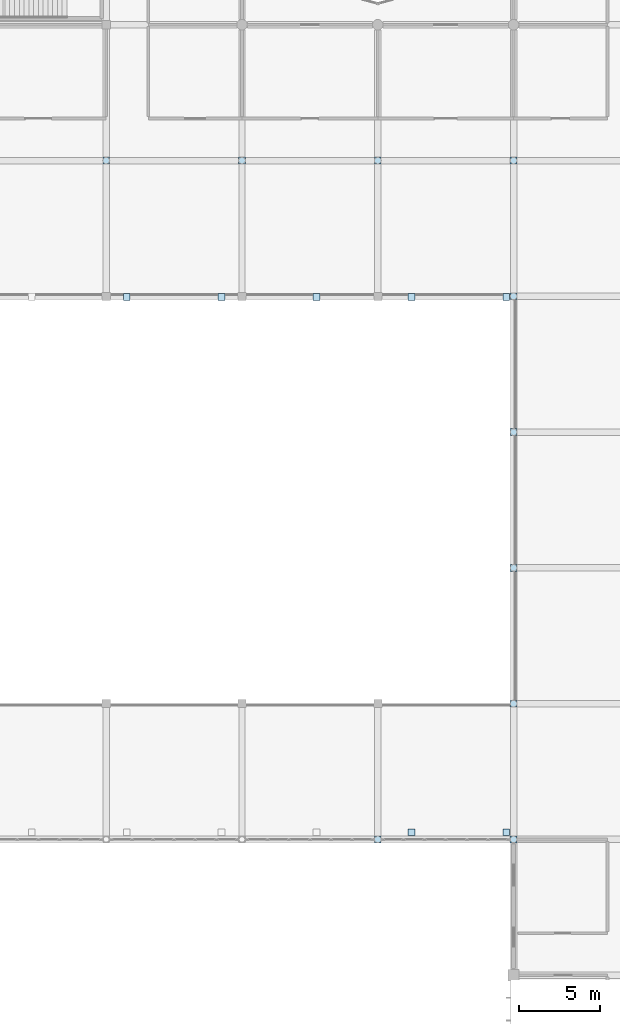
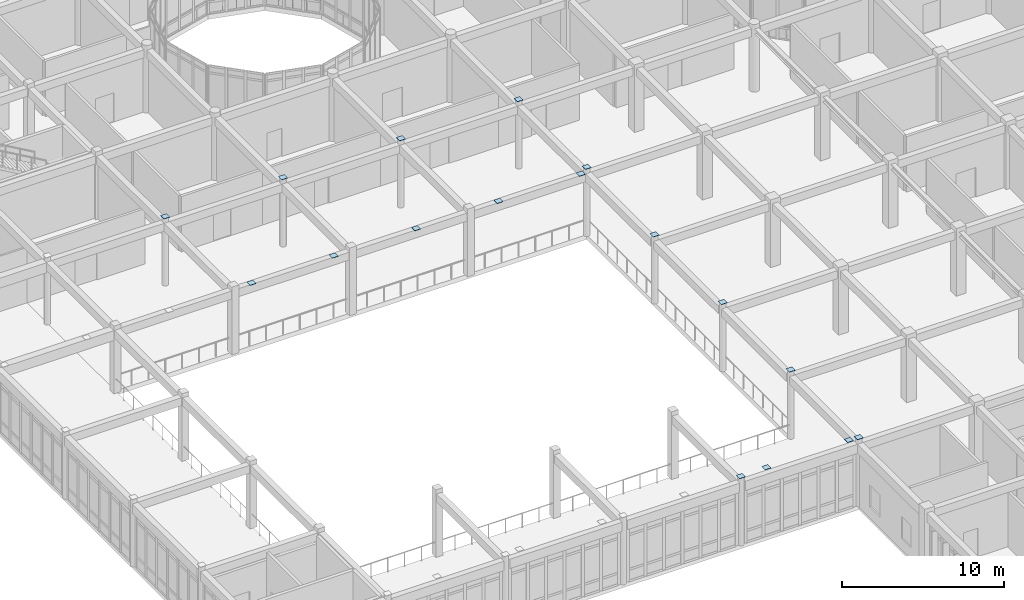
# One storey, part 88 of 134: 17 plates.
"""IFC4 building model written with IfcOpenShell, lengths in metres."""

from ifc_helpers import new_model, si_unit, direction, frame, origin, origin_2d, place, context, subcontext, project, spatial, rectangle, extrude, material, layer, layer_set, type_object, element, save


model = new_model("IFC4")

# Units and contexts
model_context = context("Model", 3, precision=1e-05, world=origin(), true_north=direction((0.0, 1.0)))
body_context = subcontext(model_context, "Body", "Model", "MODEL_VIEW")
ifc_project = project(units=[si_unit("LENGTHUNIT", "METRE"), si_unit("AREAUNIT", "SQUARE_METRE"), si_unit("VOLUMEUNIT", "CUBIC_METRE"), si_unit("PLANEANGLEUNIT", "RADIAN"), si_unit("MASSUNIT", "GRAM", prefix="KILO")], contexts=[model_context])

# Site, building, storey
site_placement = place(None, origin())
site = spatial("IfcSite", under=ifc_project, at=site_placement, CompositionType="ELEMENT")
building_placement = place(site_placement, origin())
building = spatial("IfcBuilding", under=site, at=building_placement, Name="Bramfleet General Hospital", CompositionType="ELEMENT")
storey_placement = place(building_placement, frame((0.0, 0.0, 9.300048828125)))
storey = spatial("IfcBuildingStorey", under=building, at=storey_placement, Name="L02", CompositionType="ELEMENT", Elevation=9.300048828125)

# Plates
ifc_material = material(Name="Steel S355", Category="steel")
ifc_layer = layer(ifc_material, 0.02490234375, Name="PL-BP-420")
ifc_layer_set = layer_set([ifc_layer], Name="Steel S355")
plate_type = type_object("IfcPlateType", Name="PL-BP-420", PredefinedType="USERDEFINED", material=ifc_layer_set)
for number, where, z_axis, x_axis, name in (
    (1, (67.199951171875, 58.800048828125, 5.10009765625), (0.0, 0.0, 1.0), (1.0, 0.0, 0.0), "Hollow Column Cap Plate COL-L02-08-07"),
    (2, (75.60009765625, 58.800048828125, 5.10009765625), (0.0, 0.0, 1.0), (1.0, 0.0, 0.0), "Hollow Column Cap Plate COL-L02-09-07"),
    (3, (84.0, 16.800048828125, 5.10009765625), (0.0, 0.0, 1.0), (1.0, 0.0, 0.0), "Hollow Column Cap Plate COL-L02-10-02"),
    (4, (84.0, 58.800048828125, 5.10009765625), (0.0, 0.0, 1.0), (1.0, 0.0, 0.0), "Hollow Column Cap Plate COL-L02-10-07"),
    (5, (92.39990234375, 16.800048828125, 5.10009765625), (0.0, 0.0, 1.0), (1.0, 0.0, 0.0), "Hollow Column Cap Plate COL-L02-11-02"),
    (6, (92.39990234375, 25.199951171875, 5.10009765625), (0.0, 0.0, 1.0), (1.0, 0.0, 0.0), "Hollow Column Cap Plate COL-L02-11-03"),
    (7, (92.39990234375, 33.60009765625, 5.10009765625), (0.0, 0.0, 1.0), (1.0, 0.0, 0.0), "Hollow Column Cap Plate COL-L02-11-04"),
    (8, (92.39990234375, 42.0, 5.10009765625), (0.0, 0.0, 1.0), (1.0, 0.0, 0.0), "Hollow Column Cap Plate COL-L02-11-05"),
    (9, (92.39990234375, 50.39990234375, 5.10009765625), (0.0, 0.0, 1.0), (1.0, 0.0, 0.0), "Hollow Column Cap Plate COL-L02-11-06"),
    (10, (92.39990234375, 58.800048828125, 5.10009765625), (0.0, 0.0, 1.0), (1.0, 0.0, 0.0), "Hollow Column Cap Plate COL-L02-11-07"),
    (11, (68.46435546875, 50.35009765625, 4.77490234375), (0.0, 0.0, 1.0), (1.0, 0.0, 0.0), "Space Frame Pedestal Foot Cap Plate 3-6"),
    (12, (74.335693359375, 50.35009765625, 4.77490234375), (0.0, 0.0, 1.0), (1.0, 0.0, 0.0), "Space Frame Pedestal Foot Cap Plate 4-6"),
    (13, (80.20703125, 50.35009765625, 4.77490234375), (0.0, 0.0, 1.0), (1.0, 0.0, 0.0), "Space Frame Pedestal Foot Cap Plate 5-6"),
    (14, (86.07861328125, 17.25, 4.77490234375), (0.0, 0.0, 1.0), (1.0, 0.0, 0.0), "Space Frame Pedestal Foot Cap Plate 6-0"),
    (15, (86.07861328125, 50.35009765625, 4.77490234375), (0.0, 0.0, 1.0), (1.0, 0.0, 0.0), "Space Frame Pedestal Foot Cap Plate 6-6"),
    (16, (91.949951171875, 17.25, 4.77490234375), (0.0, 0.0, 1.0), (1.0, 0.0, 0.0), "Space Frame Pedestal Foot Cap Plate 7-0"),
    (17, (91.949951171875, 50.35009765625, 4.77490234375), (0.0, 0.0, 1.0), (1.0, 0.0, 0.0), "Space Frame Pedestal Foot Cap Plate 7-6"),
):
    element("IfcPlate", number, at=place(storey_placement, frame(where, z_axis=z_axis, x_axis=x_axis)), inside=storey, type_object=plate_type, Name=name, ObjectType="Base plate", PredefinedType="USERDEFINED", context=body_context, shape_type="SweptSolid", body=[
        extrude(rectangle(XDim=0.419921875, YDim=0.419921875, at=origin_2d()), origin(), (0.0, 0.0, 1.0), 0.02490234375),
    ])

save(model, "model.ifc")
